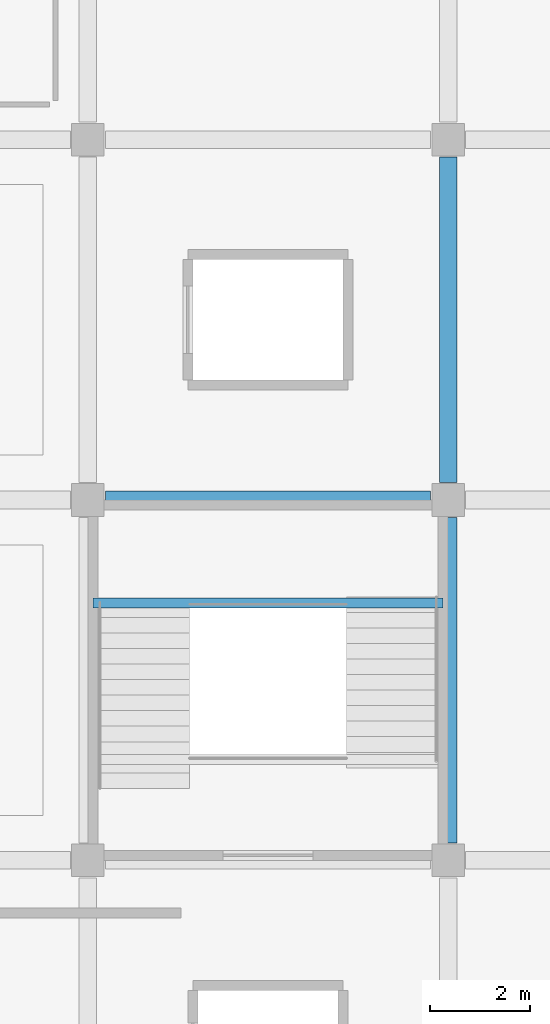
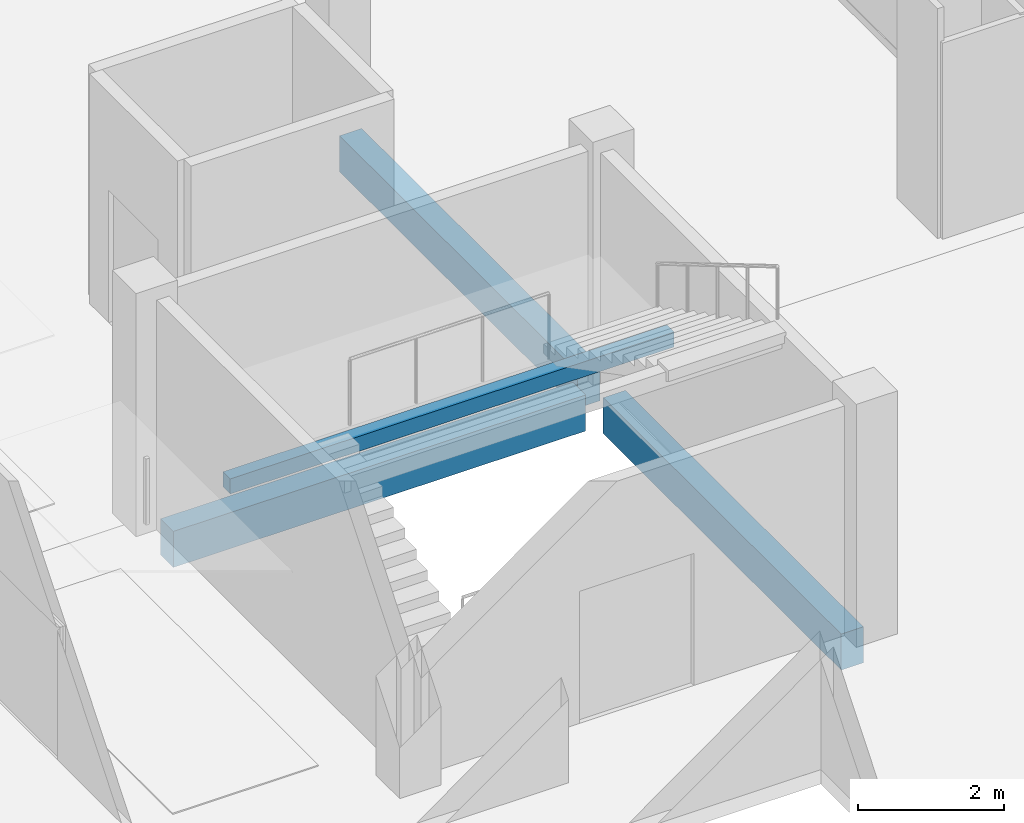
# One storey, part 31 of 77: 4 beams.
"""IFC4 building model written with IfcOpenShell, lengths in metres."""

from ifc_helpers import new_model, si_unit, direction, frame, origin, origin_2d, place, context, subcontext, project, spatial, rectangle, extrude, material, material_profile, profile_set, type_object, element, save


model = new_model("IFC4")

# Units and contexts
model_context = context("Model", 3, precision=1e-05, world=origin(), true_north=direction((0.0, 1.0)))
body_context = subcontext(model_context, "Body", "Model", "MODEL_VIEW")
ifc_project = project(units=[si_unit("LENGTHUNIT", "METRE"), si_unit("AREAUNIT", "SQUARE_METRE"), si_unit("VOLUMEUNIT", "CUBIC_METRE"), si_unit("PLANEANGLEUNIT", "RADIAN"), si_unit("MASSUNIT", "GRAM", prefix="KILO")], contexts=[model_context])

# Site, building, storey
site_placement = place(None, origin())
site = spatial("IfcSite", under=ifc_project, at=site_placement, CompositionType="ELEMENT")
building_placement = place(site_placement, origin())
building = spatial("IfcBuilding", under=site, at=building_placement, Name="Kangsadwip Square Police Headquarters", CompositionType="ELEMENT")
storey_placement = place(building_placement, frame((0.0, 0.0, 17.550048828125)))
storey = spatial("IfcBuildingStorey", under=building, at=storey_placement, Name="L04", CompositionType="ELEMENT", Elevation=17.550048828125)

# Beams
ifc_material_1 = material(Name="Concrete M35 (35 MPa)", Category="concrete")
ifc_material_profile_1 = material_profile(ifc_material_1, rectangle(XDim=0.35009765625, YDim=0.60009765625, at=origin_2d()), Name="RC BM 600X350")
ifc_profile_set_1 = profile_set([ifc_material_profile_1], Name="Concrete M35 (35 MPa)")
beam_type_1 = type_object("IfcBeamType", Name="RcBeam600x350", PredefinedType="BEAM", material=ifc_profile_set_1)
for number, where, z_axis, x_axis, name in (
    (1, (151.550048828125, 64.800048828125, -0.5400390625), (1.0, 0.0, 0.0), (0.0, 1.0, 0.0), "Beam BM-L04-X-21-09"),
    (2, (158.39990234375, 57.949951171875, -0.5400390625), (0.0, 1.0, 0.0), (-1.0, 0.0, 0.0), "Beam BM-L04-Y-22-08"),
    (3, (158.39990234375, 65.14990234375, -0.5400390625), (0.0, 1.0, 0.0), (-1.0, 0.0, 0.0), "Beam BM-L04-Y-22-09"),
):
    element("IfcBeam", number, at=place(storey_placement, frame(where, z_axis=z_axis, x_axis=x_axis)), inside=storey, type_object=beam_type_1, Name=name, PredefinedType="BEAM", context=body_context, shape_type="SweptSolid", body=[
        extrude(rectangle(XDim=0.35009765625, YDim=0.60009765625, at=origin_2d()), origin(), (0.0, 0.0, 1.0), 6.5),
    ])
ifc_material_2 = material(Name="Concrete M30 (30 MPa)", Category="concrete")
ifc_material_profile_2 = material_profile(ifc_material_2, rectangle(XDim=0.199951171875, YDim=0.25, at=origin_2d()), Name="RC LNT 250X200")
ifc_profile_set_2 = profile_set([ifc_material_profile_2], Name="Concrete M30 (30 MPa)")
beam_type_2 = type_object("IfcBeamType", Name="RcLintel250x200", PredefinedType="LINTEL", material=ifc_profile_set_2)
beam_placement = place(storey_placement, frame((151.300048828125, 62.739990234375, 1.801025390625), z_axis=(1.0, 0.0, 0.0), x_axis=(0.0, 1.0, 0.0)))
element("IfcBeam", 4, at=beam_placement, inside=storey, type_object=beam_type_2, Name="Stair Carriage and Landing Beam BM-ST-L04-050", PredefinedType="BEAM", context=body_context, shape_type="SweptSolid", body=[
    extrude(rectangle(XDim=0.199951171875, YDim=0.25, at=origin_2d()), origin(), (0.0, 0.0, 1.0), 7.0),
])

save(model, "model.ifc")
